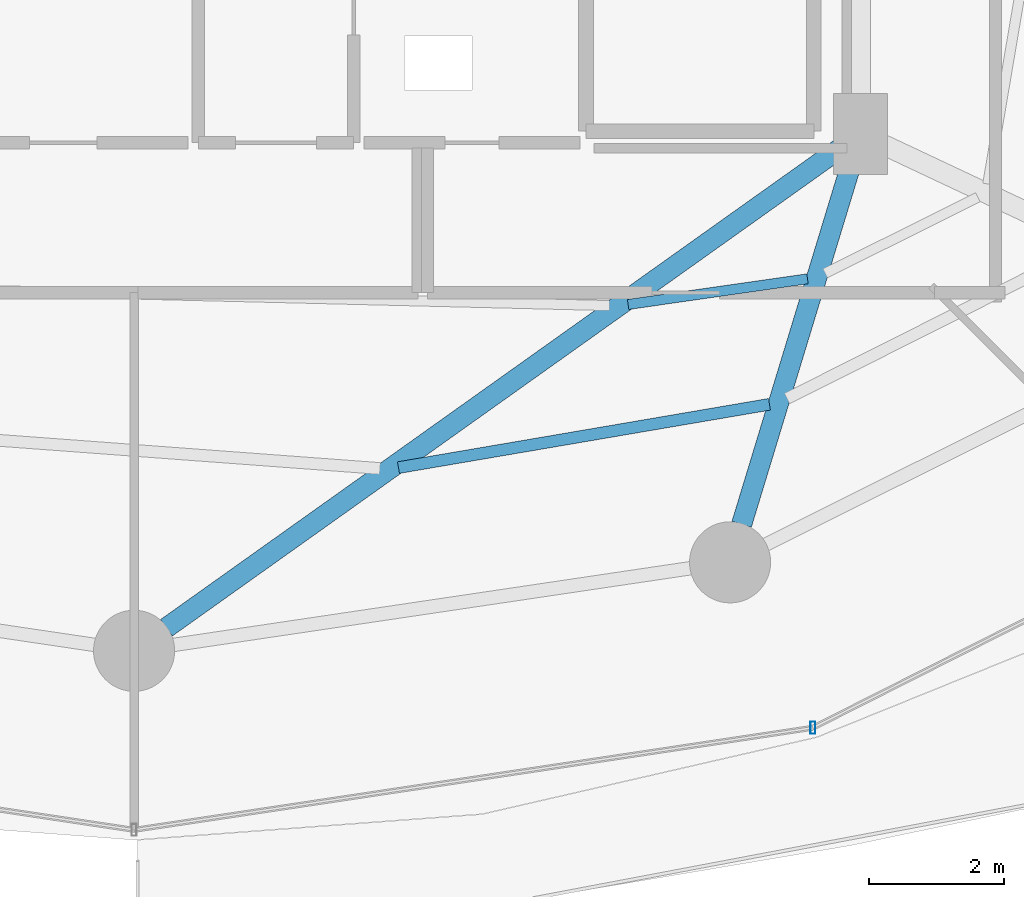
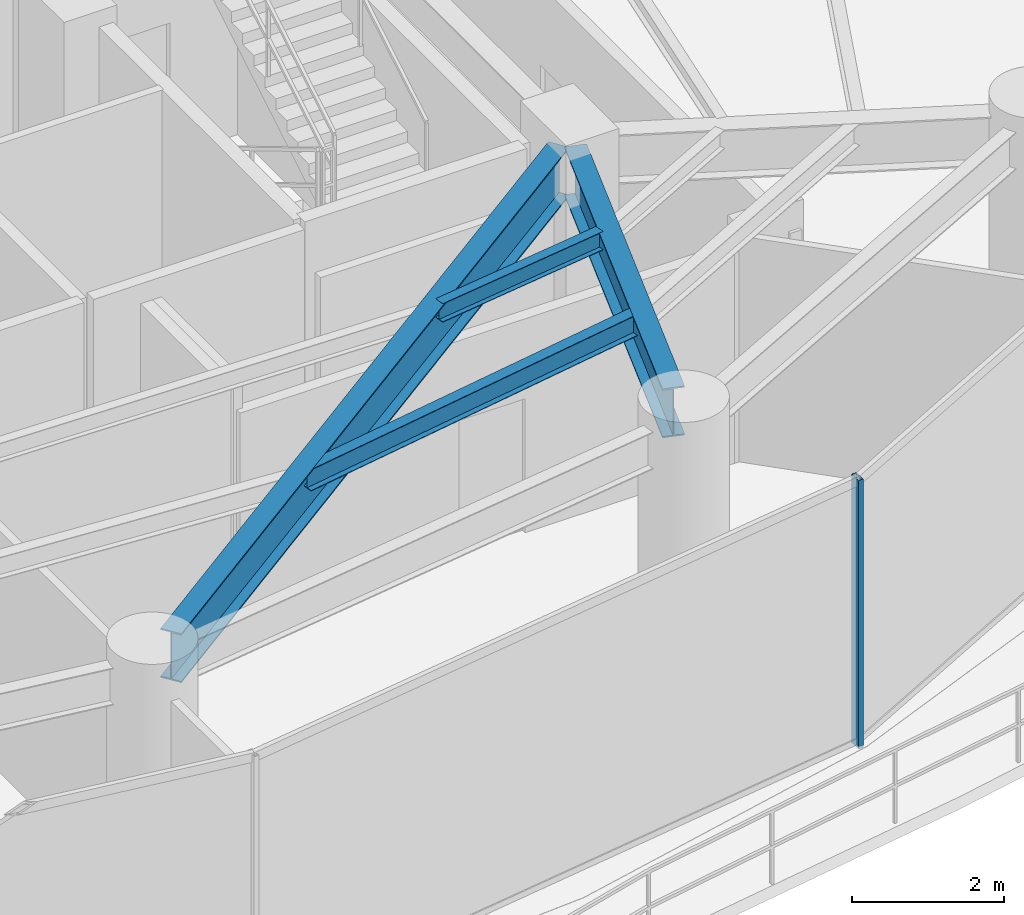
# One storey, part 10 of 27: 4 beams, 1 member, 1 element without a shape of its own.
"""IFC4 building model written with IfcOpenShell, lengths in metres."""

from ifc_helpers import new_model, si_unit, direction, frame, origin, origin_2d, place, context, subcontext, project, spatial, hollow_rectangle, i_section, extrude, material, material_profile, profile_set, type_object, element, aggregate, save


model = new_model("IFC4")

# Units and contexts
model_context = context("Model", 3, precision=1e-05, world=origin(), true_north=direction((0.0, 1.0)))
body_context = subcontext(model_context, "Body", "Model", "MODEL_VIEW")
ifc_project = project(units=[si_unit("LENGTHUNIT", "METRE"), si_unit("AREAUNIT", "SQUARE_METRE"), si_unit("VOLUMEUNIT", "CUBIC_METRE"), si_unit("PLANEANGLEUNIT", "RADIAN"), si_unit("MASSUNIT", "GRAM", prefix="KILO")], contexts=[model_context])

# Site, building, storey
site_placement = place(None, origin())
site = spatial("IfcSite", under=ifc_project, at=site_placement, CompositionType="ELEMENT")
building_placement = place(site_placement, origin())
building = spatial("IfcBuilding", under=site, at=building_placement, Name="Vorneva Point Tower", CompositionType="ELEMENT")
storey_placement = place(building_placement, frame((0.0, 0.0, 74.300048828125)))
storey = spatial("IfcBuildingStorey", under=building, at=storey_placement, Name="L19", CompositionType="ELEMENT", Elevation=74.300048828125)

# Beams
ifc_material_1 = material(Name="Steel S355", Category="steel")
ifc_material_profile_1 = material_profile(ifc_material_1, i_section(OverallWidth=0.300048828125, OverallDepth=0.7880859375, WebThickness=0.014404296875, FlangeThickness=0.02197265625, at=origin_2d()), Name="80Sh1")
ifc_profile_set_1 = profile_set([ifc_material_profile_1], Name="Steel S355")
beam_type_1 = type_object("IfcBeamType", Name="BM-GRD-80Sh1", PredefinedType="USERDEFINED", material=ifc_profile_set_1)
beam_1_placement = place(storey_placement, frame((38.47900390625, 9.140869140625, 3.845947265625), z_axis=(0.814751603989, 0.579810161861, 0.0), x_axis=(-0.579810161861, 0.814751603989, 0.0)))
element("IfcBeam", 1, at=beam_1_placement, inside=storey, type_object=beam_type_1, Name="L19 Radial Primary Girder 13", ObjectType="GIRDER", PredefinedType="USERDEFINED", context=body_context, shape_type="SweptSolid", body=[
    extrude(i_section(OverallWidth=0.300048828125, OverallDepth=0.7880859375, WebThickness=0.014404296875, FlangeThickness=0.02197265625, at=origin_2d()), origin(), (0.0, 0.0, 1.0), 12.26611328125),
])
beam_2_placement = place(storey_placement, frame((46.991943359375, 10.671875, 3.845947265625), z_axis=(0.291059345278, 0.956705000262, 0.0), x_axis=(-0.956705000262, 0.291059345278, 0.0)))
element("IfcBeam", 2, at=beam_2_placement, inside=storey, type_object=beam_type_1, Name="L19 Radial Primary Girder 14", ObjectType="GIRDER", PredefinedType="USERDEFINED", context=body_context, shape_type="SweptSolid", body=[
    extrude(i_section(OverallWidth=0.300048828125, OverallDepth=0.7880859375, WebThickness=0.014404296875, FlangeThickness=0.02197265625, at=origin_2d()), origin(), (0.0, 0.0, 1.0), 5.69970703125),
])
ifc_material_profile_2 = material_profile(ifc_material_1, i_section(OverallWidth=0.14892578125, OverallDepth=0.298095703125, WebThickness=0.005615234375, FlangeThickness=0.008056640625, at=origin_2d()), Name="30B1")
ifc_profile_set_2 = profile_set([ifc_material_profile_2], Name="Steel S355")
beam_type_2 = type_object("IfcBeamType", Name="BM-JST-30B1", PredefinedType="JOIST", material=ifc_profile_set_2)
beam_3_placement = place(storey_placement, frame((45.3115234375, 13.925537109375, 4.091064453125), z_axis=(0.989907582175, 0.14171442676, 0.0), x_axis=(-0.14171442676, 0.989907582175, 0.0)))
element("IfcBeam", 3, at=beam_3_placement, inside=storey, type_object=beam_type_2, Name="L19 Secondary Floor Beam 2.13", PredefinedType="JOIST", context=body_context, shape_type="SweptSolid", body=[
    extrude(i_section(OverallWidth=0.14892578125, OverallDepth=0.298095703125, WebThickness=0.005615234375, FlangeThickness=0.008056640625, at=origin_2d()), origin(), (0.0, 0.0, 1.0), 2.682373046875),
])
ifc_material_profile_3 = material_profile(ifc_material_1, i_section(OverallWidth=0.174072265625, OverallDepth=0.345947265625, WebThickness=0.006103515625, FlangeThickness=0.009033203125, at=origin_2d()), Name="35B1")
ifc_profile_set_3 = profile_set([ifc_material_profile_3], Name="Steel S355")
beam_type_3 = type_object("IfcBeamType", Name="BM-SEC-35B1", PredefinedType="BEAM", material=ifc_profile_set_3)
beam_4_placement = place(storey_placement, frame((41.9130859375, 11.510986328125, 4.06689453125), z_axis=(0.985746710804, 0.168236209359, 0.0), x_axis=(-0.168236209359, 0.985746710804, 0.0)))
element("IfcBeam", 4, at=beam_4_placement, inside=storey, type_object=beam_type_3, Name="L19 Secondary Floor Beam 1.13", PredefinedType="BEAM", context=body_context, shape_type="SweptSolid", body=[
    extrude(i_section(OverallWidth=0.174072265625, OverallDepth=0.345947265625, WebThickness=0.006103515625, FlangeThickness=0.009033203125, at=origin_2d()), origin(), (0.0, 0.0, 1.0), 5.569580078125),
])

# Curtain wall, member
ifc_material_2 = material(Name="Pale anodised aluminium", Category="aluminium")
curtain_wall_type = type_object("IfcCurtainWallType", Name="CW-SKY-SYS", PredefinedType="NOTDEFINED", material=ifc_material_2)
curtain_wall_placement = place(storey_placement, origin())
curtain_wall = element("IfcCurtainWall", 5, at=curtain_wall_placement, inside=storey, type_object=curtain_wall_type, Name="L19 Unitised Curtain Wall CW-L19-R04", PredefinedType="NOTDEFINED")
ifc_material_profile_4 = material_profile(ifc_material_2, hollow_rectangle(XDim=0.074951171875, YDim=0.179931640625, WallThickness=0.00390625, at=origin_2d()), Name="AL-MUL 180x75x4")
ifc_profile_set_4 = profile_set([ifc_material_profile_4], Name="Pale anodised aluminium")
member_type = type_object("IfcMemberType", Name="CW-MUL-180", PredefinedType="MULLION", material=ifc_profile_set_4)
member_placement = place(storey_placement, frame((48.04541015625, 7.660888671875, -0.0400390625), z_axis=(0.0, 0.0, 1.0), x_axis=(1.0, 0.0, 0.0)))
member = element("IfcMember", 6, at=member_placement, type_object=member_type, Name="CW-L19-R04 Mullion 04", PredefinedType="MULLION", context=body_context, shape_type="SweptSolid", body=[
    extrude(hollow_rectangle(XDim=0.074951171875, YDim=0.179931640625, WallThickness=0.00390625, at=origin_2d()), origin(), (0.0, 0.0, 1.0), 4.31005859375),
])
aggregate(curtain_wall, [member])

save(model, "model.ifc")
